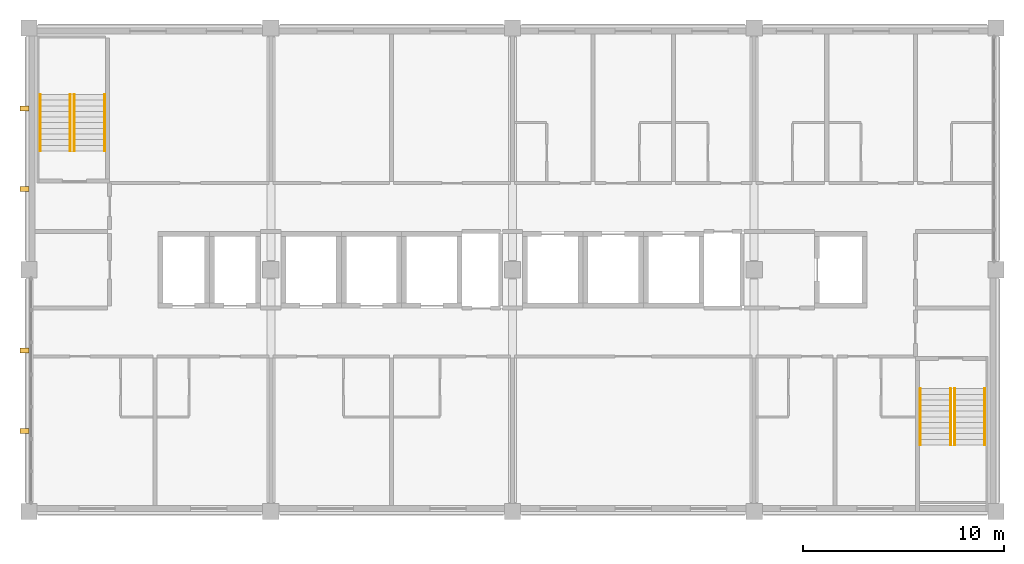
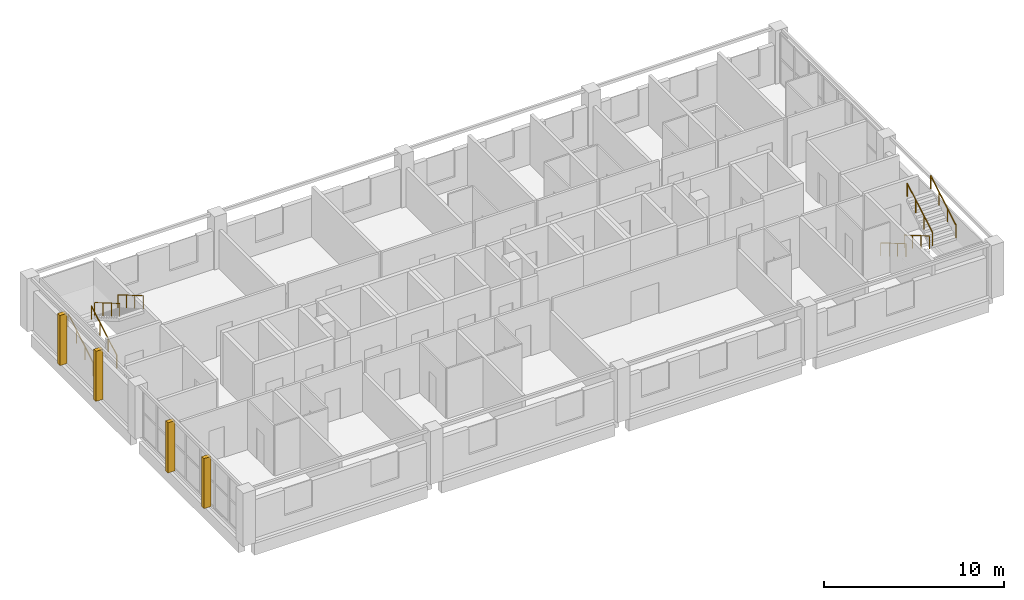
# One storey, part 11 of 11: 8 railings, 4 coverings.
"""IFC4 building model written with IfcOpenShell, lengths in metres."""

from ifc_helpers import new_model, si_unit, direction, frame, frame_2d, origin, origin_2d, place, context, subcontext, project, spatial, rectangle, circle, extrude, material, layer, layer_set, type_object, element, save


model = new_model("IFC4")

# Units and contexts
model_context = context("Model", 3, precision=1e-05, world=origin(), true_north=direction((0.0, 1.0)))
body_context = subcontext(model_context, "Body", "Model", "MODEL_VIEW")
ifc_project = project(units=[si_unit("LENGTHUNIT", "METRE"), si_unit("AREAUNIT", "SQUARE_METRE"), si_unit("VOLUMEUNIT", "CUBIC_METRE"), si_unit("PLANEANGLEUNIT", "RADIAN"), si_unit("MASSUNIT", "GRAM", prefix="KILO")], contexts=[model_context])

# Site, building, storey
site_placement = place(None, origin())
site = spatial("IfcSite", under=ifc_project, at=site_placement, CompositionType="ELEMENT")
building_placement = place(site_placement, origin())
building = spatial("IfcBuilding", under=site, at=building_placement, Name="Lilac Gate Convention Centre", CompositionType="ELEMENT")
storey_placement = place(building_placement, frame((0.0, 0.0, 35.39990234375)))
storey = spatial("IfcBuildingStorey", under=building, at=storey_placement, Name="L08", CompositionType="ELEMENT", Elevation=35.39990234375)

# Coverings
ifc_material_1 = material(Name="Concrete C40 precast", Category="concrete")
ifc_layer_1 = layer(ifc_material_1, 0.22998046875)
ifc_material_2 = material(Name="Terracotta glazed cladding", Category="masonry")
ifc_layer_2 = layer(ifc_material_2, 0.02001953125)
ifc_layer_set = layer_set([ifc_layer_1, ifc_layer_2], Name="Concrete C40 precast, Terracotta glazed cladding")
covering_type = type_object("IfcCoveringType", Name="Precast fin 250 x 450", PredefinedType="CLADDING", material=ifc_layer_set)
for number, where, z_axis, x_axis, name in (
    (1, (41.550048828125, 226.0, 0.0), (0.0, 0.0, 1.0), (1.0, 0.0, 0.0), "Precast fin west L08 226"),
    (2, (41.550048828125, 230.0, 0.0), (0.0, 0.0, 1.0), (1.0, 0.0, 0.0), "Precast fin west L08 230"),
    (3, (41.550048828125, 238.0, 0.0), (0.0, 0.0, 1.0), (1.0, 0.0, 0.0), "Precast fin west L08 238"),
    (4, (41.550048828125, 242.0, 0.0), (0.0, 0.0, 1.0), (1.0, 0.0, 0.0), "Precast fin west L08 242"),
):
    element("IfcCovering", number, at=place(storey_placement, frame(where, z_axis=z_axis, x_axis=x_axis)), inside=storey, type_object=covering_type, Name=name, PredefinedType="CLADDING", context=body_context, shape_type="SweptSolid", body=[
        extrude(rectangle(XDim=0.449951171875, YDim=0.25, at=frame_2d((0.22509765625, 0.0))), origin(), (0.0, 0.0, 1.0), 3.400146484375),
    ])

# Railings
ifc_material_3 = material(Name="Stainless steel 304", Category="steel")
railing_type = type_object("IfcRailingType", Name="Stair handrail", PredefinedType="HANDRAIL", material=ifc_material_3)
for number, where, name in (
    (5, (42.550048828125, 239.89990234375, 0.163818359375), "Handrail NW L08 flight 1"),
    (6, (44.050048828125, 239.89990234375, 0.163818359375), "Handrail NW L08 flight 1"),
):
    element("IfcRailing", number, at=place(storey_placement, frame(where)), inside=storey, type_object=railing_type, Name=name, PredefinedType="HANDRAIL", context=body_context, shape_type="SweptSolid", body=[
        extrude(circle(Radius=0.02392578125, at=origin_2d()), frame((0.0, 0.0, 0.8759765625), z_axis=(0.0, 0.863393664356, 0.504530851732), x_axis=(-1.0, 0.0, 0.0)), (0.0, 0.0, 1.0), 3.2431640625),
        extrude(circle(Radius=0.02099609375, at=origin_2d()), origin(), (0.0, 0.0, 1.0), 0.851806640625),
        extrude(circle(Radius=0.02099609375, at=origin_2d()), frame((0.0, 0.933349609375, 0.54541015625)), (0.0, 0.0, 1.0), 0.851806640625),
        extrude(circle(Radius=0.02099609375, at=origin_2d()), frame((0.0, 1.86669921875, 1.0908203125)), (0.0, 0.0, 1.0), 0.851806640625),
        extrude(circle(Radius=0.02099609375, at=origin_2d()), frame((0.0, 2.800048828125, 1.63623046875)), (0.0, 0.0, 1.0), 0.851806640625),
    ])
for number, where, name in (
    (7, (45.75, 242.699951171875, 1.963623046875), "Handrail NW L08 flight 2"),
    (8, (44.25, 242.699951171875, 1.963623046875), "Handrail NW L08 flight 2"),
):
    element("IfcRailing", number, at=place(storey_placement, frame(where)), inside=storey, type_object=railing_type, Name=name, PredefinedType="HANDRAIL", context=body_context, shape_type="SweptSolid", body=[
        extrude(circle(Radius=0.02392578125, at=origin_2d()), frame((0.0, 0.0, 0.8759765625), z_axis=(0.0, -0.863360870873, 0.504586966384), x_axis=(1.0, 0.0, 0.0)), (0.0, 0.0, 1.0), 3.2431640625),
        extrude(circle(Radius=0.02099609375, at=origin_2d()), origin(), (0.0, 0.0, 1.0), 0.851806640625),
        extrude(circle(Radius=0.02099609375, at=origin_2d()), frame((0.0, -0.933349609375, 0.54541015625)), (0.0, 0.0, 1.0), 0.851806640625),
        extrude(circle(Radius=0.02099609375, at=origin_2d()), frame((0.0, -1.86669921875, 1.091064453125)), (0.0, 0.0, 1.0), 0.851806640625),
        extrude(circle(Radius=0.02099609375, at=origin_2d()), frame((0.0, -2.800048828125, 1.636474609375)), (0.0, 0.0, 1.0), 0.851806640625),
    ])
for number, where, name in (
    (9, (87.75, 228.10009765625, 0.163818359375), "Handrail SE L08 flight 1"),
    (10, (86.25, 228.10009765625, 0.163818359375), "Handrail SE L08 flight 1"),
):
    element("IfcRailing", number, at=place(storey_placement, frame(where)), inside=storey, type_object=railing_type, Name=name, PredefinedType="HANDRAIL", context=body_context, shape_type="SweptSolid", body=[
        extrude(circle(Radius=0.02392578125, at=origin_2d()), frame((0.0, 0.0, 0.8759765625), z_axis=(0.0, -0.863393664356, 0.504530851732), x_axis=(1.0, 0.0, 0.0)), (0.0, 0.0, 1.0), 3.2431640625),
        extrude(circle(Radius=0.02099609375, at=origin_2d()), origin(), (0.0, 0.0, 1.0), 0.851806640625),
        extrude(circle(Radius=0.02099609375, at=origin_2d()), frame((0.0, -0.933349609375, 0.54541015625)), (0.0, 0.0, 1.0), 0.851806640625),
        extrude(circle(Radius=0.02099609375, at=origin_2d()), frame((0.0, -1.86669921875, 1.0908203125)), (0.0, 0.0, 1.0), 0.851806640625),
        extrude(circle(Radius=0.02099609375, at=origin_2d()), frame((0.0, -2.800048828125, 1.63623046875)), (0.0, 0.0, 1.0), 0.851806640625),
    ])
for number, where, name in (
    (11, (87.949951171875, 225.300048828125, 1.963623046875), "Handrail SE L08 flight 2"),
    (12, (89.449951171875, 225.300048828125, 1.963623046875), "Handrail SE L08 flight 2"),
):
    element("IfcRailing", number, at=place(storey_placement, frame(where)), inside=storey, type_object=railing_type, Name=name, PredefinedType="HANDRAIL", context=body_context, shape_type="SweptSolid", body=[
        extrude(circle(Radius=0.02392578125, at=origin_2d()), frame((0.0, 0.0, 0.8759765625), z_axis=(0.0, 0.863360870873, 0.504586966384), x_axis=(-1.0, 0.0, 0.0)), (0.0, 0.0, 1.0), 3.2431640625),
        extrude(circle(Radius=0.02099609375, at=origin_2d()), origin(), (0.0, 0.0, 1.0), 0.851806640625),
        extrude(circle(Radius=0.02099609375, at=origin_2d()), frame((0.0, 0.933349609375, 0.54541015625)), (0.0, 0.0, 1.0), 0.851806640625),
        extrude(circle(Radius=0.02099609375, at=origin_2d()), frame((0.0, 1.86669921875, 1.091064453125)), (0.0, 0.0, 1.0), 0.851806640625),
        extrude(circle(Radius=0.02099609375, at=origin_2d()), frame((0.0, 2.800048828125, 1.636474609375)), (0.0, 0.0, 1.0), 0.851806640625),
    ])

save(model, "model.ifc")
